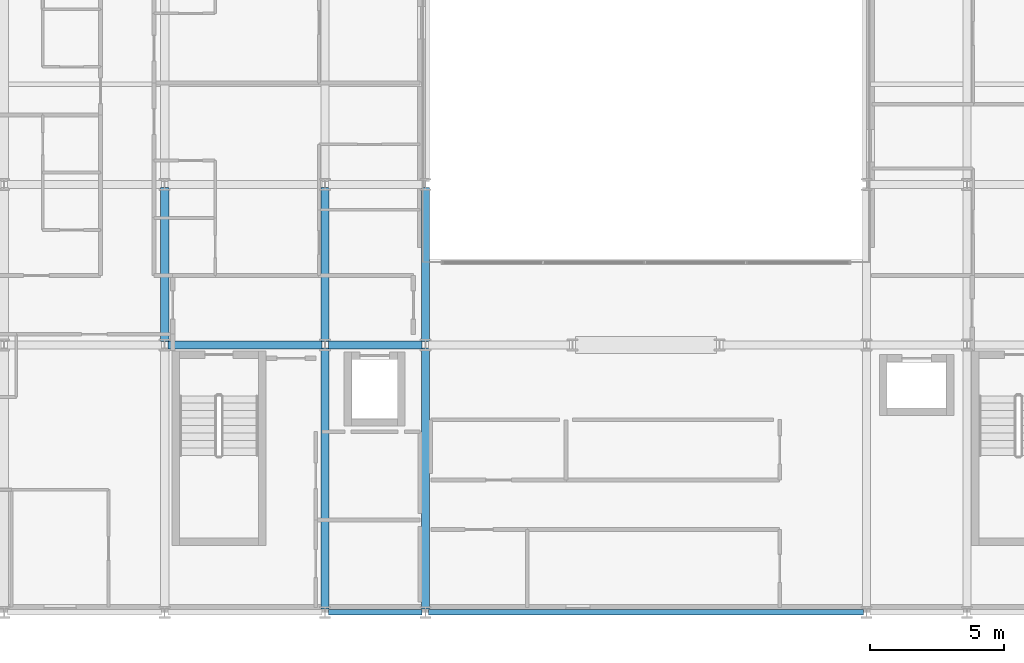
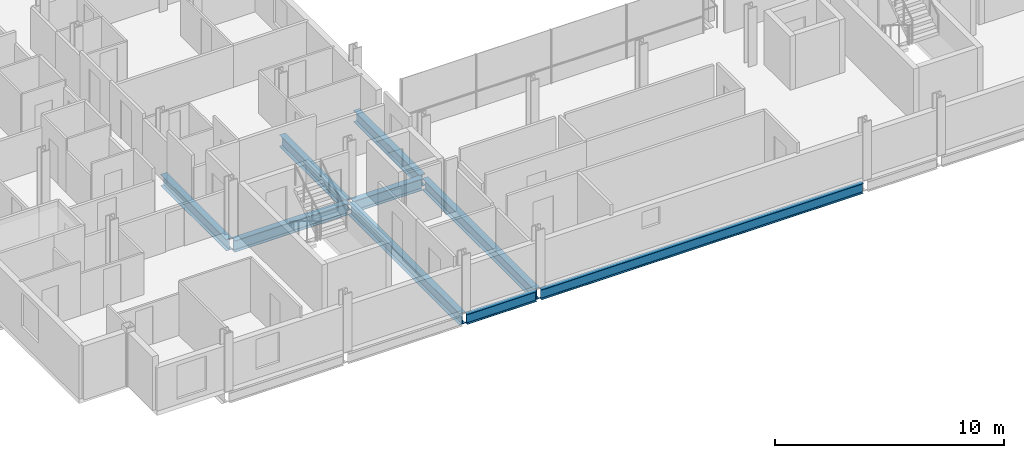
# One storey, part 3 of 39: 9 beams.
"""IFC4 building model written with IfcOpenShell, lengths in metres."""

import ifcopenshell
import ifcopenshell.guid

model = None  # the IFC model being written
_history = None  # IfcOwnerHistory: only IFC2X3 demands one
_inside = {}  # id of a spatial element -> (the spatial element, [elements in it])
_under = {}  # id of a project, library or spatial element -> (it, [spatial elements below it])
_declared = {}  # id of a project -> (the project, [libraries it declares])
_typed = {}  # id of a type object -> (the type object, [elements of that type])
_made_of = {}  # id of a material, layer set ... -> (it, [elements and type objects made of it])


def new_model(schema):
    """Start an empty IFC model of exactly this schema.

    Asked for "IFC4X3", IfcOpenShell would pick the latest addendum, in which some entities
    have other attributes; the version numbers below select the first issue.
    IFC2X3 requires an IfcOwnerHistory on every rooted entity: one is made here for all.
    """
    global model, _history
    if schema == "IFC4X3":
        model = ifcopenshell.file(schema_version=(4, 3, 0, 0))
    else:
        model = ifcopenshell.file(schema=schema)
    _inside.clear()
    _under.clear()
    _declared.clear()
    _typed.clear()
    _made_of.clear()
    _history = None
    if model.schema == "IFC2X3":
        org = make("IfcOrganization", Name="unknown")
        user = make(
            "IfcPersonAndOrganization",
            ThePerson=make("IfcPerson", FamilyName="unknown"),
            TheOrganization=org,
        )
        app = make(
            "IfcApplication",
            ApplicationDeveloper=org,
            Version="unknown",
            ApplicationFullName="unknown",
            ApplicationIdentifier="unknown",
        )
        _history = make(
            "IfcOwnerHistory",
            OwningUser=user,
            OwningApplication=app,
            ChangeAction="ADDED",
            CreationDate=0,
        )
    return model


def make(cls, **values):
    """One entity of the class cls with the attributes given. An attribute that is None is left unset."""
    return model.create_entity(
        cls, **{name: value for name, value in values.items() if value is not None}
    )


def rooted(cls, **values):
    """An entity with a GlobalId (a new one), such as an element, a storey or a relation."""
    return make(cls, GlobalId=ifcopenshell.guid.new(), OwnerHistory=_history, **values)


def si_unit(unit_type, name, prefix=None):
    """IfcSIUnit, for example si_unit("LENGTHUNIT", "METRE", prefix="MILLI")."""
    return make("IfcSIUnit", UnitType=unit_type, Prefix=prefix, Name=name)


def assignment(units):
    """IfcUnitAssignment: the units of a project."""
    return None if units is None else make("IfcUnitAssignment", Units=units)


def point(xyz):
    """IfcCartesianPoint."""
    return None if xyz is None else make("IfcCartesianPoint", Coordinates=xyz)


def direction(xyz):
    """IfcDirection."""
    return None if xyz is None else make("IfcDirection", DirectionRatios=xyz)


def frame(location, z_axis=None, x_axis=None):
    """IfcAxis2Placement3D, a coordinate frame: its origin and axes. An axis left out is left unset."""
    return make(
        "IfcAxis2Placement3D",
        Location=point(location),
        Axis=direction(z_axis),
        RefDirection=direction(x_axis),
    )


def frame_2d(location, x_axis=None):
    """IfcAxis2Placement2D, a coordinate frame in the plane: its origin and x axis."""
    return make(
        "IfcAxis2Placement2D", Location=point(location), RefDirection=direction(x_axis)
    )


def origin():
    """The frame at (0, 0, 0) with its axes left unset."""
    return frame((0.0, 0.0, 0.0))


def origin_2d():
    """The frame at (0, 0) in the plane with its x axis left unset."""
    return frame_2d((0.0, 0.0))


def place(relative_to, where):
    """IfcLocalPlacement: puts the frame where relative to a parent placement (None: the world)."""
    return make(
        "IfcLocalPlacement", PlacementRelTo=relative_to, RelativePlacement=where
    )


def context(
    kind, dimensions, precision=None, world=None, true_north=None, identifier=None
):
    """IfcGeometricRepresentationContext, for example the 3D "Model" context."""
    return make(
        "IfcGeometricRepresentationContext",
        ContextIdentifier=identifier,
        ContextType=kind,
        CoordinateSpaceDimension=dimensions,
        Precision=precision,
        WorldCoordinateSystem=world,
        TrueNorth=true_north,
    )


def subcontext(parent, identifier, kind, view, scale=None):
    """IfcGeometricRepresentationSubContext, for example "Body" below "Model"."""
    return make(
        "IfcGeometricRepresentationSubContext",
        ContextIdentifier=identifier,
        ContextType=kind,
        ParentContext=parent,
        TargetScale=scale,
        TargetView=view,
    )


def project(units=None, contexts=None):
    """IfcProject with its units and contexts."""
    return rooted(
        "IfcProject",
        Name="project",
        RepresentationContexts=contexts,
        UnitsInContext=assignment(units),
    )


def spatial(cls, under=None, at=None, **own):
    """A site, building, storey or space (cls), placed at a placement, below another one or the project."""
    s = rooted(cls, ObjectPlacement=at, **own)
    if under is not None:
        _under.setdefault(under.id(), (under, []))[1].append(s)
    return s


def profile(cls, at=None, kind="AREA", **sizes):
    """A parametric profile (cls). Its sizes go by their IFC names, for example OverallWidth=200.0."""
    return make(cls, ProfileType=kind, Position=at, **sizes)


def i_section(**sizes):
    """IfcIShapeProfileDef."""
    return profile("IfcIShapeProfileDef", **sizes)


def extrude(swept, where, along, depth):
    """IfcExtrudedAreaSolid: the profile swept, set in the frame where, extruded along a direction by depth."""
    return make(
        "IfcExtrudedAreaSolid",
        SweptArea=swept,
        Position=where,
        ExtrudedDirection=direction(along),
        Depth=depth,
    )


def shape(context_of_items, identifier, shape_type, items):
    """IfcShapeRepresentation: the items that make up one representation, for example the "Body"."""
    return make(
        "IfcShapeRepresentation",
        ContextOfItems=context_of_items,
        RepresentationIdentifier=identifier,
        RepresentationType=shape_type,
        Items=items,
    )


def material(Name=None, Category=None):
    """IfcMaterial."""
    return make("IfcMaterial", Name=Name, Category=Category)


def material_profile(
    of_material, cross_section, Name=None, Category=None, Priority=None
):
    """IfcMaterialProfile: a cross section and its material."""
    return make(
        "IfcMaterialProfile",
        Name=Name,
        Material=of_material,
        Profile=cross_section,
        Priority=Priority,
        Category=Category,
    )


def profile_set(profiles, Name=None, composite=None):
    """IfcMaterialProfileSet."""
    return make(
        "IfcMaterialProfileSet",
        Name=Name,
        MaterialProfiles=profiles,
        CompositeProfile=composite,
    )


def made_of(thing, what):
    """Note that an element or type object is made of a material, layer set ...; save() writes the relation."""
    if what is not None:
        _made_of.setdefault(what.id(), (what, []))[1].append(thing)
    return thing


def type_object(cls, material=None, **own):
    """A type object (cls), such as IfcWallType, which elements share."""
    return made_of(rooted(cls, **own), material)


def element(
    cls,
    number,
    at=None,
    inside=None,
    cuts=None,
    type_object=None,
    material=None,
    context=None,
    identifier="Body",
    shape_type=None,
    held_by="IfcProductDefinitionShape",
    body=None,
    shapes=None,
    **own,
):
    """One element of the class cls, such as IfcWall. Its Tag is "e" and its number.

    at: its placement. inside: the storey or other place that contains it. cuts: it is an
    opening in that element (IfcRelVoidsElement). A single representation is given by context,
    identifier, shape_type and body (its items); several are given by shapes. held_by: the class
    of the entity that holds the representations. save() writes the other relations.
    """
    e = rooted(cls, Tag="e%d" % number, ObjectPlacement=at, **own)
    if body is not None:
        shapes = [shape(context, identifier, shape_type, body)]
    if shapes is not None:
        e.Representation = make(held_by, Representations=shapes)
    if inside is not None:
        _inside.setdefault(inside.id(), (inside, []))[1].append(e)
    if cuts is not None:
        rooted(
            "IfcRelVoidsElement", RelatingBuildingElement=cuts, RelatedOpeningElement=e
        )
    if type_object is not None:
        _typed.setdefault(type_object.id(), (type_object, []))[1].append(e)
    return made_of(e, material)


def aggregate(whole, parts):
    """IfcRelAggregates: a whole, such as a stair, and the parts it consists of."""
    return rooted("IfcRelAggregates", RelatingObject=whole, RelatedObjects=parts)


def save(model, path):
    """Write the relations noted so far, then the file.

    IfcRelAggregates (storeys below a building ...), IfcRelContainedInSpatialStructure (elements
    in a storey), IfcRelDefinesByType, IfcRelAssociatesMaterial and IfcRelDeclares: one each for
    every whole, place, type object, material and project.
    """
    for whole, parts in _under.values():
        aggregate(whole, parts)
    for where, things in _inside.values():
        rooted(
            "IfcRelContainedInSpatialStructure",
            RelatedElements=things,
            RelatingStructure=where,
        )
    for kind, things in _typed.values():
        rooted("IfcRelDefinesByType", RelatedObjects=things, RelatingType=kind)
    for what, things in _made_of.values():
        rooted("IfcRelAssociatesMaterial", RelatedObjects=things, RelatingMaterial=what)
    for by, libraries in _declared.values():
        rooted("IfcRelDeclares", RelatingContext=by, RelatedDefinitions=libraries)
    model.write(path)


model = new_model("IFC4")

# Units and contexts
model_context = context("Model", 3, precision=1e-05, world=origin(), true_north=direction((0.0, 1.0)))
body_context = subcontext(model_context, "Body", "Model", "MODEL_VIEW")
ifc_project = project(units=[si_unit("LENGTHUNIT", "METRE"), si_unit("AREAUNIT", "SQUARE_METRE"), si_unit("VOLUMEUNIT", "CUBIC_METRE"), si_unit("PLANEANGLEUNIT", "RADIAN"), si_unit("MASSUNIT", "GRAM", prefix="KILO")], contexts=[model_context])

# Site, building, storey
site_placement = place(None, origin())
site = spatial("IfcSite", under=ifc_project, at=site_placement, CompositionType="ELEMENT")
building_placement = place(site_placement, origin())
building = spatial("IfcBuilding", under=site, at=building_placement, Name="Brevholm Reach", CompositionType="ELEMENT")
storey_placement = place(building_placement, frame((0.0, 0.0, 90.0)))
storey = spatial("IfcBuildingStorey", under=building, at=storey_placement, Name="L26", CompositionType="ELEMENT", Elevation=90.0)

# Beams
ifc_material_1 = material(Name="Structural Steel S355J2", Category="steel")
ifc_material_profile_1 = material_profile(ifc_material_1, i_section(OverallWidth=0.210693359375, OverallDepth=0.53955078125, WebThickness=0.01171875, FlangeThickness=0.018798828125, FilletRadius=0.0126953125, at=origin_2d()), Name="UKB 533x210x109")
ifc_profile_set_1 = profile_set([ifc_material_profile_1], Name="Structural Steel S355J2")
beam_type_1 = type_object("IfcBeamType", Name="BM-SP539", PredefinedType="SPANDREL", material=ifc_profile_set_1)
beam_1_placement = place(storey_placement, frame((18.1201171875, 0.0, -0.499755859375), z_axis=(1.0, 0.0, 0.0), x_axis=(0.0, 1.0, 0.0)))
element("IfcBeam", 1, at=beam_1_placement, inside=storey, type_object=beam_type_1, Name="L26 SP-01B Framing Beam", PredefinedType="SPANDREL", context=body_context, shape_type="SweptSolid", body=[
    extrude(i_section(OverallWidth=0.210693359375, OverallDepth=0.53955078125, WebThickness=0.01171875, FlangeThickness=0.018798828125, FilletRadius=0.0126953125, at=origin_2d()), origin(), (0.0, 0.0, 1.0), 3.509765625),
])
beam_2_placement = place(storey_placement, frame((21.8701171875, 0.0, -0.499755859375), z_axis=(1.0, 0.0, 0.0), x_axis=(0.0, 1.0, 0.0)))
element("IfcBeam", 2, at=beam_2_placement, inside=storey, type_object=beam_type_1, Name="L26 SP-01B Framing Beam", PredefinedType="SPANDREL", context=body_context, shape_type="SweptSolid", body=[
    extrude(i_section(OverallWidth=0.210693359375, OverallDepth=0.53955078125, WebThickness=0.01171875, FlangeThickness=0.018798828125, FilletRadius=0.0126953125, at=origin_2d()), origin(), (0.0, 0.0, 1.0), 16.259765625),
])
ifc_material_2 = material(Name="Structural Steel S355J2", Category="steel")
ifc_material_profile_2 = material_profile(ifc_material_2, i_section(OverallWidth=0.30712890625, OverallDepth=0.6201171875, WebThickness=0.01416015625, FlangeThickness=0.023681640625, FilletRadius=0.0166015625, at=origin_2d()), Name="UKB 610x305x179")
ifc_profile_set_2 = profile_set([ifc_material_profile_2], Name="Structural Steel S355J2")
beam_type_2 = type_object("IfcBeamType", Name="BM-UKB610H", PredefinedType="USERDEFINED", material=ifc_profile_set_2)
beam_3_placement = place(storey_placement, frame((12.1201171875, 10.0, -0.5400390625), z_axis=(1.0, 0.0, 0.0), x_axis=(0.0, 1.0, 0.0)))
element("IfcBeam", 3, at=beam_3_placement, inside=storey, type_object=beam_type_2, Name="L26 G-06 Framing Beam", ObjectType="GIRDER", PredefinedType="USERDEFINED", context=body_context, shape_type="SweptSolid", body=[
    extrude(i_section(OverallWidth=0.30712890625, OverallDepth=0.6201171875, WebThickness=0.01416015625, FlangeThickness=0.023681640625, FilletRadius=0.0166015625, at=origin_2d()), origin(), (0.0, 0.0, 1.0), 5.759765625),
])
beam_4_placement = place(storey_placement, frame((18.1201171875, 10.0, -0.5400390625), z_axis=(1.0, 0.0, 0.0), x_axis=(0.0, 1.0, 0.0)))
element("IfcBeam", 4, at=beam_4_placement, inside=storey, type_object=beam_type_2, Name="L26 G-06 Framing Beam", ObjectType="GIRDER", PredefinedType="USERDEFINED", context=body_context, shape_type="SweptSolid", body=[
    extrude(i_section(OverallWidth=0.30712890625, OverallDepth=0.6201171875, WebThickness=0.01416015625, FlangeThickness=0.023681640625, FilletRadius=0.0166015625, at=origin_2d()), origin(), (0.0, 0.0, 1.0), 3.509765625),
])
beam_5_placement = place(storey_placement, frame((12.0, 10.1201171875, -0.5400390625), z_axis=(0.0, 1.0, 0.0), x_axis=(-1.0, 0.0, 0.0)))
element("IfcBeam", 5, at=beam_5_placement, inside=storey, type_object=beam_type_2, Name="L26 G-06 Framing Beam", ObjectType="GIRDER", PredefinedType="USERDEFINED", context=body_context, shape_type="SweptSolid", body=[
    extrude(i_section(OverallWidth=0.30712890625, OverallDepth=0.6201171875, WebThickness=0.01416015625, FlangeThickness=0.023681640625, FilletRadius=0.0166015625, at=origin_2d()), origin(), (0.0, 0.0, 1.0), 5.759765625),
])
beam_6_placement = place(storey_placement, frame((18.0, 0.1201171875, -0.5400390625), z_axis=(0.0, 1.0, 0.0), x_axis=(-1.0, 0.0, 0.0)))
element("IfcBeam", 6, at=beam_6_placement, inside=storey, type_object=beam_type_2, Name="L26 G-06 Framing Beam", ObjectType="GIRDER", PredefinedType="USERDEFINED", context=body_context, shape_type="SweptSolid", body=[
    extrude(i_section(OverallWidth=0.30712890625, OverallDepth=0.6201171875, WebThickness=0.01416015625, FlangeThickness=0.023681640625, FilletRadius=0.0166015625, at=origin_2d()), origin(), (0.0, 0.0, 1.0), 9.759765625),
])
beam_7_placement = place(storey_placement, frame((18.0, 10.1201171875, -0.5400390625), z_axis=(0.0, 1.0, 0.0), x_axis=(-1.0, 0.0, 0.0)))
element("IfcBeam", 7, at=beam_7_placement, inside=storey, type_object=beam_type_2, Name="L26 G-06 Framing Beam", ObjectType="GIRDER", PredefinedType="USERDEFINED", context=body_context, shape_type="SweptSolid", body=[
    extrude(i_section(OverallWidth=0.30712890625, OverallDepth=0.6201171875, WebThickness=0.01416015625, FlangeThickness=0.023681640625, FilletRadius=0.0166015625, at=origin_2d()), origin(), (0.0, 0.0, 1.0), 5.759765625),
])
beam_8_placement = place(storey_placement, frame((21.75, 0.1201171875, -0.5400390625), z_axis=(0.0, 1.0, 0.0), x_axis=(-1.0, 0.0, 0.0)))
element("IfcBeam", 8, at=beam_8_placement, inside=storey, type_object=beam_type_2, Name="L26 G-06 Framing Beam", ObjectType="GIRDER", PredefinedType="USERDEFINED", context=body_context, shape_type="SweptSolid", body=[
    extrude(i_section(OverallWidth=0.30712890625, OverallDepth=0.6201171875, WebThickness=0.01416015625, FlangeThickness=0.023681640625, FilletRadius=0.0166015625, at=origin_2d()), origin(), (0.0, 0.0, 1.0), 9.759765625),
])
beam_9_placement = place(storey_placement, frame((21.75, 10.1201171875, -0.5400390625), z_axis=(0.0, 1.0, 0.0), x_axis=(-1.0, 0.0, 0.0)))
element("IfcBeam", 9, at=beam_9_placement, inside=storey, type_object=beam_type_2, Name="L26 G-06 Framing Beam", ObjectType="GIRDER", PredefinedType="USERDEFINED", context=body_context, shape_type="SweptSolid", body=[
    extrude(i_section(OverallWidth=0.30712890625, OverallDepth=0.6201171875, WebThickness=0.01416015625, FlangeThickness=0.023681640625, FilletRadius=0.0166015625, at=origin_2d()), origin(), (0.0, 0.0, 1.0), 5.759765625),
])

save(model, "model.ifc")
